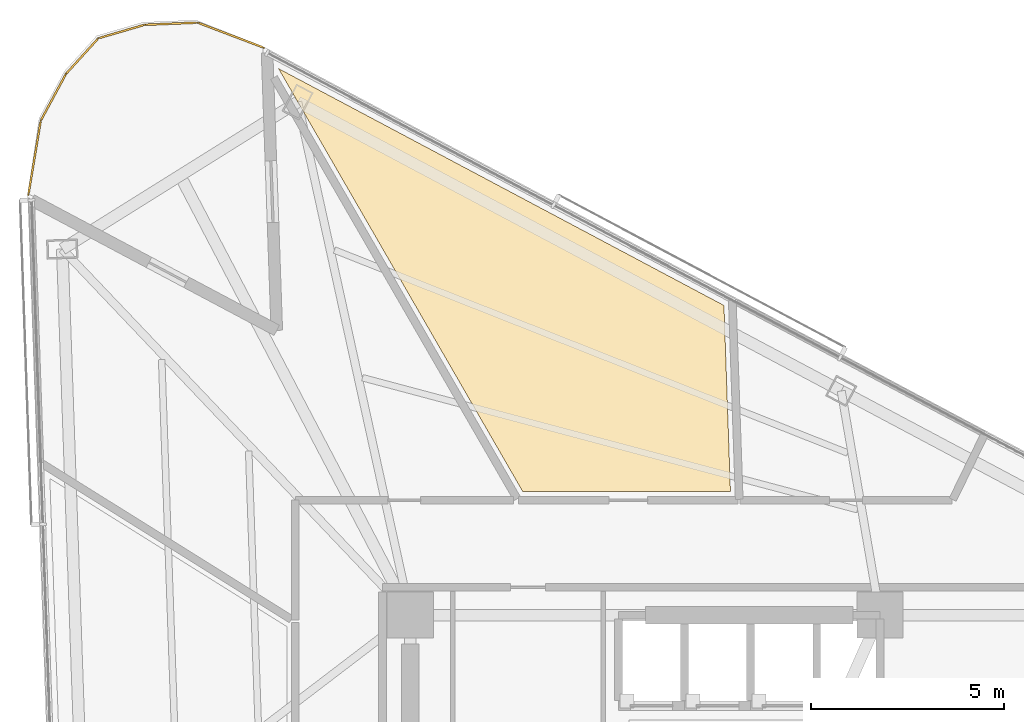
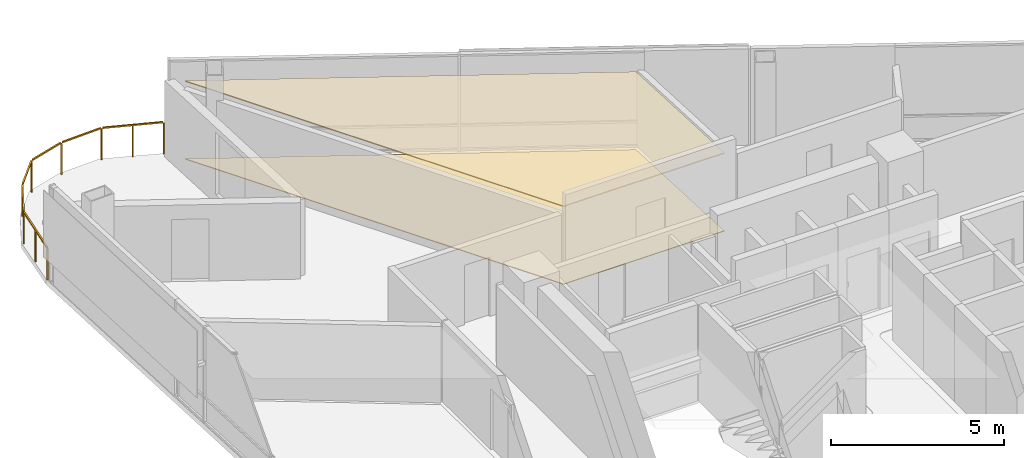
# One storey, part 20 of 20: 2 coverings, 1 railing.
"""IFC4 building model written with IfcOpenShell, lengths in metres."""

from ifc_helpers import new_model, si_unit, direction, frame, origin, origin_2d, place, context, subcontext, project, spatial, polyline, rectangle, outline, extrude, material, layer, layer_set, type_object, element, save


model = new_model("IFC4")

# Units and contexts
model_context = context("Model", 3, precision=1e-05, world=origin(), true_north=direction((0.0, 1.0)))
body_context = subcontext(model_context, "Body", "Model", "MODEL_VIEW")
ifc_project = project(units=[si_unit("LENGTHUNIT", "METRE"), si_unit("AREAUNIT", "SQUARE_METRE"), si_unit("VOLUMEUNIT", "CUBIC_METRE"), si_unit("PLANEANGLEUNIT", "RADIAN"), si_unit("MASSUNIT", "GRAM", prefix="KILO")], contexts=[model_context])

# Site, building, storey
site_placement = place(None, origin())
site = spatial("IfcSite", under=ifc_project, at=site_placement, CompositionType="ELEMENT")
building_placement = place(site_placement, origin())
building = spatial("IfcBuilding", under=site, at=building_placement, Name="Tharavind Bronze Gate", CompositionType="ELEMENT")
storey_placement = place(building_placement, frame((0.0, 0.0, 149.60009765625)))
storey = spatial("IfcBuildingStorey", under=building, at=storey_placement, Name="L38", CompositionType="ELEMENT", Elevation=149.60009765625)

# Coverings
ifc_material_1 = material(Name="Engineered Oak & Carpet Tile", Category="wood")
ifc_layer_1 = layer(ifc_material_1, 0.02490234375)
ifc_layer_set_1 = layer_set([ifc_layer_1], Name="Engineered Oak & Carpet Tile")
covering_type_1 = type_object("IfcCoveringType", Name="ENGINEERED TIMBER FLOORING", PredefinedType="FLOORING", material=ifc_layer_set_1)
covering_1_placement = place(storey_placement, origin())
element("IfcCovering", 1, at=covering_1_placement, inside=storey, type_object=covering_type_1, Name="L38-RM-03 floor finish", PredefinedType="FLOORING", context=body_context, shape_type="SweptSolid", body=[
    extrude(outline(polyline([(-5.981201171875, 10.800048828125), (-0.597412109375, 10.800048828125), (-0.76611328125, 15.631103515625), (-12.31640625, 21.7724609375), (-5.981201171875, 10.800048828125)])), origin(), (0.0, 0.0, 1.0), 0.02490234375),
])
ifc_material_2 = material(Name="Acoustic Gypsum Board", Category="gypsum")
ifc_layer_2 = layer(ifc_material_2, 0.030029296875)
ifc_layer_set_2 = layer_set([ifc_layer_2], Name="Acoustic Gypsum Board")
covering_type_2 = type_object("IfcCoveringType", Name="GYPSUM SUSPENDED CEILING", PredefinedType="CEILING", material=ifc_layer_set_2)
covering_2_placement = place(storey_placement, frame((0.0, 0.0, 2.75)))
element("IfcCovering", 2, at=covering_2_placement, inside=storey, type_object=covering_type_2, Name="L38-RM-03 suspended ceiling", PredefinedType="CEILING", context=body_context, shape_type="SweptSolid", body=[
    extrude(outline(polyline([(-5.981201171875, 10.800048828125), (-0.597412109375, 10.800048828125), (-0.76611328125, 15.631103515625), (-12.31640625, 21.7724609375), (-5.981201171875, 10.800048828125)])), origin(), (0.0, 0.0, 1.0), 0.034912109375),
])

# Railing
ifc_material_3 = material(Name="Bronze Cap & Laminated Glass", Category="glass")
railing_type = type_object("IfcRailingType", Name="TERRACE GLASS GUARD RAILING 1150", PredefinedType="GUARDRAIL", material=ifc_material_3)
railing_placement = place(storey_placement, frame((-18.8046875, 18.500244140625, 0.0)))
element("IfcRailing", 3, at=railing_placement, inside=storey, type_object=railing_type, Name="L38 tree balcony guard railing", PredefinedType="GUARDRAIL", context=body_context, shape_type="SweptSolid", body=[
    extrude(rectangle(XDim=0.048095703125, YDim=0.048095703125, at=origin_2d()), frame((0.00537109375, 0.031494140625, 1.1259765625), z_axis=(0.164195729353, 0.986427778635, 0.0), x_axis=(-0.986427778635, 0.164195729353, 0.0)), (0.0, 0.0, 1.0), 1.8837890625),
    extrude(rectangle(XDim=0.048095703125, YDim=0.048095703125, at=origin_2d()), frame((0.3349609375, 1.949462890625, 1.1259765625), z_axis=(0.475354278584, 0.879794470221, 0.0), x_axis=(-0.879794470221, 0.475354278584, 0.0)), (0.0, 0.0, 1.0), 1.316650390625),
    extrude(rectangle(XDim=0.048095703125, YDim=0.048095703125, at=origin_2d()), frame((0.99755859375, 3.15966796875, 1.1259765625), z_axis=(0.672721531805, 0.739895763365, 0.0), x_axis=(-0.739895763365, 0.672721531805, 0.0)), (0.0, 0.0, 1.0), 1.1826171875),
    extrude(rectangle(XDim=0.048095703125, YDim=0.048095703125, at=origin_2d()), frame((1.845458984375, 4.0673828125, 1.1259765625), z_axis=(0.959866084935, 0.280458729571, 0.0), x_axis=(-0.280458729571, 0.959866084935, 0.0)), (0.0, 0.0, 1.0), 1.1826171875),
    extrude(rectangle(XDim=0.048095703125, YDim=0.048095703125, at=origin_2d()), frame((3.043212890625, 4.4091796875, 1.1259765625), z_axis=(0.999143462148, 0.041380454892, 0.0), x_axis=(-0.041380454892, 0.999143462148, 0.0)), (0.0, 0.0, 1.0), 1.316650390625),
    extrude(rectangle(XDim=0.048095703125, YDim=0.048095703125, at=origin_2d()), frame((4.420654296875, 4.453857421875, 1.1259765625), z_axis=(0.935175477512, -0.354184734651, 0.0), x_axis=(0.354184734651, 0.935175477512, 0.0)), (0.0, 0.0, 1.0), 1.770263671875),
    extrude(rectangle(XDim=0.0400390625, YDim=0.0400390625, at=origin_2d()), origin(), (0.0, 0.0, 1.0), 1.097900390625),
    extrude(rectangle(XDim=0.0400390625, YDim=0.0400390625, at=origin_2d()), frame((0.159912109375, 0.960693359375, 0.0)), (0.0, 0.0, 1.0), 1.097900390625),
    extrude(rectangle(XDim=0.0400390625, YDim=0.0400390625, at=origin_2d()), frame((0.31982421875, 1.92138671875, 0.0)), (0.0, 0.0, 1.0), 1.097900390625),
    extrude(rectangle(XDim=0.0400390625, YDim=0.0400390625, at=origin_2d()), frame((0.97607421875, 3.135986328125, 0.0)), (0.0, 0.0, 1.0), 1.097900390625),
    extrude(rectangle(XDim=0.0400390625, YDim=0.0400390625, at=origin_2d()), frame((1.814697265625, 4.058349609375, 0.0)), (0.0, 0.0, 1.0), 1.097900390625),
    extrude(rectangle(XDim=0.0400390625, YDim=0.0400390625, at=origin_2d()), frame((3.01123046875, 4.407958984375, 0.0)), (0.0, 0.0, 1.0), 1.097900390625),
    extrude(rectangle(XDim=0.0400390625, YDim=0.0400390625, at=origin_2d()), frame((4.390625, 4.465087890625, 0.0)), (0.0, 0.0, 1.0), 1.097900390625),
    extrude(rectangle(XDim=0.0400390625, YDim=0.0400390625, at=origin_2d()), frame((5.248291015625, 4.14013671875, 0.0)), (0.0, 0.0, 1.0), 1.097900390625),
    extrude(rectangle(XDim=0.0400390625, YDim=0.0400390625, at=origin_2d()), frame((6.10595703125, 3.8154296875, 0.0)), (0.0, 0.0, 1.0), 1.097900390625),
])

save(model, "model.ifc")
